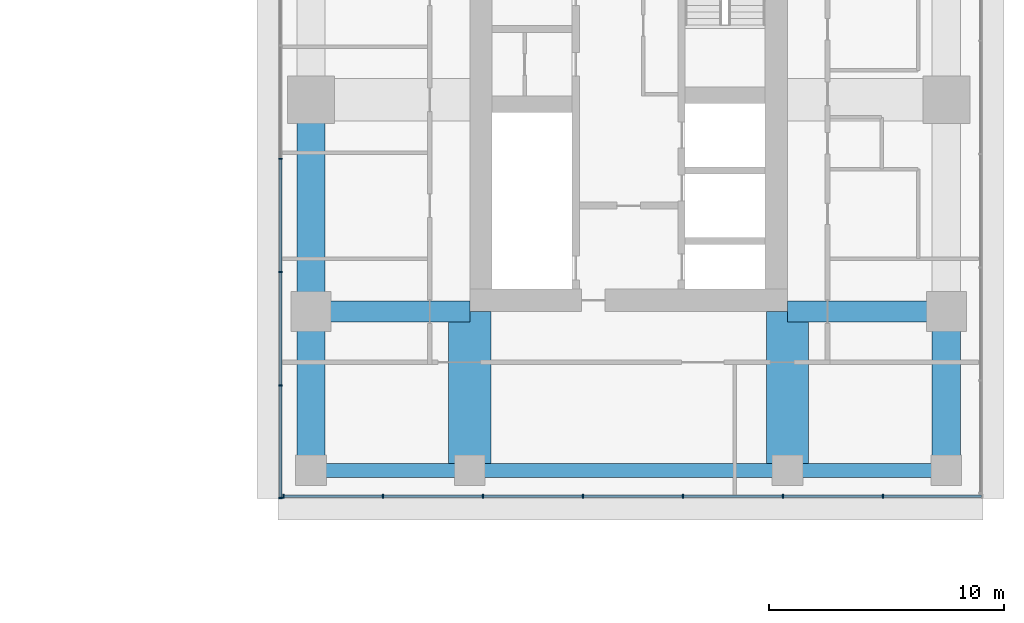
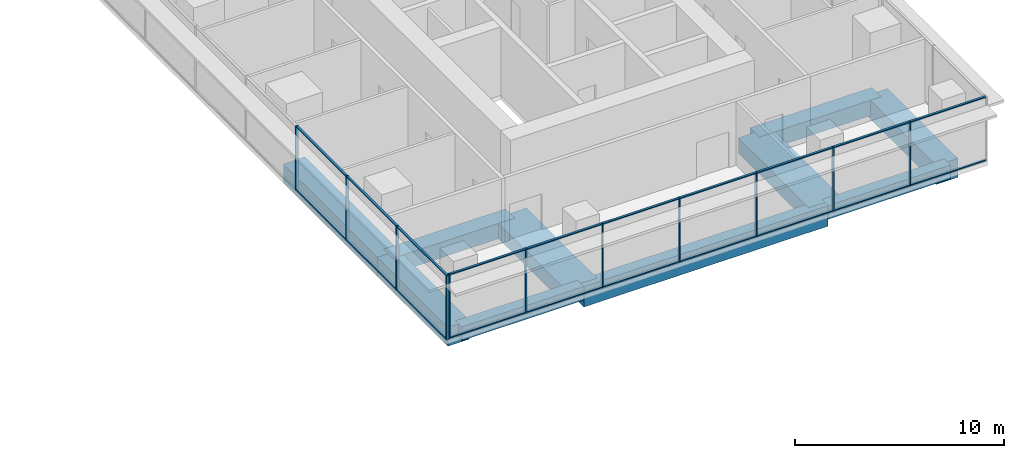
# One storey, part 2 of 14: 31 members, 10 beams, 2 elements without a shape of their own.
"""IFC4 building model written with IfcOpenShell, lengths in metres."""

from ifc_helpers import new_model, si_unit, direction, frame, origin, origin_2d, place, context, subcontext, project, spatial, rectangle, extrude, material, layer, layer_set, material_profile, profile_set, type_object, element, aggregate, save


model = new_model("IFC4")

# Units and contexts
model_context = context("Model", 3, precision=1e-05, world=origin(), true_north=direction((0.0, 1.0)))
body_context = subcontext(model_context, "Body", "Model", "MODEL_VIEW")
ifc_project = project(units=[si_unit("LENGTHUNIT", "METRE"), si_unit("AREAUNIT", "SQUARE_METRE"), si_unit("VOLUMEUNIT", "CUBIC_METRE"), si_unit("PLANEANGLEUNIT", "RADIAN"), si_unit("MASSUNIT", "GRAM", prefix="KILO")], contexts=[model_context])

# Site, building, storey
site_placement = place(None, origin())
site = spatial("IfcSite", under=ifc_project, at=site_placement, CompositionType="ELEMENT")
building_placement = place(site_placement, origin())
building = spatial("IfcBuilding", under=site, at=building_placement, Name="Namib Vertical Campus", CompositionType="ELEMENT")
storey_placement = place(building_placement, frame((0.0, 0.0, 233.0)))
storey = spatial("IfcBuildingStorey", under=building, at=storey_placement, Name="L55", CompositionType="ELEMENT", Elevation=233.0)

# Curtain wall, members
ifc_material_1 = material(Name="Black aluminium curtain wall", Category="aluminium")
ifc_layer = layer(ifc_material_1, 0.199951171875)
ifc_layer_set = layer_set([ifc_layer], Name="Sky lounge curtain wall CW-SL")
curtain_wall_type = type_object("IfcCurtainWallType", Name="Sky lounge curtain wall CW-SL", PredefinedType="USERDEFINED", material=ifc_layer_set)
curtain_wall_1_placement = place(storey_placement, origin())
curtain_wall_1 = element("IfcCurtainWall", 1, at=curtain_wall_1_placement, inside=storey, type_object=curtain_wall_type, Name="Curtain wall CW-SL L55 F01-1", ObjectType="CURTAIN WALL", PredefinedType="USERDEFINED")
ifc_material_2 = material(Name="Black anodised aluminium", Category="aluminium")
ifc_material_profile_1 = material_profile(ifc_material_2, rectangle(XDim=0.06005859375, YDim=0.159912109375, at=origin_2d()))
ifc_profile_set_1 = profile_set([ifc_material_profile_1], Name="Black anodised aluminium")
member_type_1 = type_object("IfcMemberType", Name="Curtain wall mullion 60x160", PredefinedType="MULLION", material=ifc_profile_set_1)
member_1_placement = place(storey_placement, frame((66.330078125, 3.39990234375, 0.0), z_axis=(0.0, 0.0, 1.0), x_axis=(1.0, 0.0, 0.0)))
member_1 = element("IfcMember", 2, at=member_1_placement, type_object=member_type_1, Name="CW-SL mullion 1", PredefinedType="MULLION", context=body_context, shape_type="SweptSolid", body=[
    extrude(rectangle(XDim=0.06005859375, YDim=0.159912109375, at=origin_2d()), origin(), (0.0, 0.0, 1.0), 3.75),
])
member_2_placement = place(storey_placement, frame((70.550048828125, 3.39990234375, 0.0), z_axis=(0.0, 0.0, 1.0), x_axis=(1.0, 0.0, 0.0)))
member_2 = element("IfcMember", 3, at=member_2_placement, type_object=member_type_1, Name="CW-SL mullion 2", PredefinedType="MULLION", context=body_context, shape_type="SweptSolid", body=[
    extrude(rectangle(XDim=0.06005859375, YDim=0.159912109375, at=origin_2d()), origin(), (0.0, 0.0, 1.0), 3.75),
])
member_3_placement = place(storey_placement, frame((74.800048828125, 3.39990234375, 0.0), z_axis=(0.0, 0.0, 1.0), x_axis=(1.0, 0.0, 0.0)))
member_3 = element("IfcMember", 4, at=member_3_placement, type_object=member_type_1, Name="CW-SL mullion 3", PredefinedType="MULLION", context=body_context, shape_type="SweptSolid", body=[
    extrude(rectangle(XDim=0.06005859375, YDim=0.159912109375, at=origin_2d()), origin(), (0.0, 0.0, 1.0), 3.75),
])
member_4_placement = place(storey_placement, frame((79.050048828125, 3.39990234375, 0.0), z_axis=(0.0, 0.0, 1.0), x_axis=(1.0, 0.0, 0.0)))
member_4 = element("IfcMember", 5, at=member_4_placement, type_object=member_type_1, Name="CW-SL mullion 4", PredefinedType="MULLION", context=body_context, shape_type="SweptSolid", body=[
    extrude(rectangle(XDim=0.06005859375, YDim=0.159912109375, at=origin_2d()), origin(), (0.0, 0.0, 1.0), 3.75),
])
member_5_placement = place(storey_placement, frame((83.300048828125, 3.39990234375, 0.0), z_axis=(0.0, 0.0, 1.0), x_axis=(1.0, 0.0, 0.0)))
member_5 = element("IfcMember", 6, at=member_5_placement, type_object=member_type_1, Name="CW-SL mullion 5", PredefinedType="MULLION", context=body_context, shape_type="SweptSolid", body=[
    extrude(rectangle(XDim=0.06005859375, YDim=0.159912109375, at=origin_2d()), origin(), (0.0, 0.0, 1.0), 3.75),
])
member_6_placement = place(storey_placement, frame((87.550048828125, 3.39990234375, 0.0), z_axis=(0.0, 0.0, 1.0), x_axis=(1.0, 0.0, 0.0)))
member_6 = element("IfcMember", 7, at=member_6_placement, type_object=member_type_1, Name="CW-SL mullion 6", PredefinedType="MULLION", context=body_context, shape_type="SweptSolid", body=[
    extrude(rectangle(XDim=0.06005859375, YDim=0.159912109375, at=origin_2d()), origin(), (0.0, 0.0, 1.0), 3.75),
])
member_7_placement = place(storey_placement, frame((91.800048828125, 3.39990234375, 0.0), z_axis=(0.0, 0.0, 1.0), x_axis=(1.0, 0.0, 0.0)))
member_7 = element("IfcMember", 8, at=member_7_placement, type_object=member_type_1, Name="CW-SL mullion 7", PredefinedType="MULLION", context=body_context, shape_type="SweptSolid", body=[
    extrude(rectangle(XDim=0.06005859375, YDim=0.159912109375, at=origin_2d()), origin(), (0.0, 0.0, 1.0), 3.75),
])

curtain_wall_2_placement = place(storey_placement, origin())
curtain_wall_2 = element("IfcCurtainWall", 9, at=curtain_wall_2_placement, inside=storey, type_object=curtain_wall_type, Name="Curtain wall CW-SL L55 F04-1", ObjectType="CURTAIN WALL", PredefinedType="USERDEFINED")
member_8_placement = place(storey_placement, frame((66.199951171875, 17.742919921875, 0.0), z_axis=(0.0, 0.0, 1.0), x_axis=(0.0, -1.0, 0.0)))
member_8 = element("IfcMember", 10, at=member_8_placement, type_object=member_type_1, Name="CW-SL mullion 5", PredefinedType="MULLION", context=body_context, shape_type="SweptSolid", body=[
    extrude(rectangle(XDim=0.06005859375, YDim=0.159912109375, at=origin_2d()), origin(), (0.0, 0.0, 1.0), 3.75),
])
member_9_placement = place(storey_placement, frame((66.199951171875, 12.928466796875, 0.0), z_axis=(0.0, 0.0, 1.0), x_axis=(0.0, -1.0, 0.0)))
member_9 = element("IfcMember", 11, at=member_9_placement, type_object=member_type_1, Name="CW-SL mullion 6", PredefinedType="MULLION", context=body_context, shape_type="SweptSolid", body=[
    extrude(rectangle(XDim=0.06005859375, YDim=0.159912109375, at=origin_2d()), origin(), (0.0, 0.0, 1.0), 3.75),
])
member_10_placement = place(storey_placement, frame((66.199951171875, 8.1142578125, 0.0), z_axis=(0.0, 0.0, 1.0), x_axis=(0.0, -1.0, 0.0)))
member_10 = element("IfcMember", 12, at=member_10_placement, type_object=member_type_1, Name="CW-SL mullion 7", PredefinedType="MULLION", context=body_context, shape_type="SweptSolid", body=[
    extrude(rectangle(XDim=0.06005859375, YDim=0.159912109375, at=origin_2d()), origin(), (0.0, 0.0, 1.0), 3.75),
])
member_11_placement = place(storey_placement, frame((66.199951171875, 3.330078125, 0.0), z_axis=(0.0, 0.0, 1.0), x_axis=(0.0, -1.0, 0.0)))
member_11 = element("IfcMember", 13, at=member_11_placement, type_object=member_type_1, Name="CW-SL mullion 8", PredefinedType="MULLION", context=body_context, shape_type="SweptSolid", body=[
    extrude(rectangle(XDim=0.06005859375, YDim=0.159912109375, at=origin_2d()), origin(), (0.0, 0.0, 1.0), 3.75),
])

# Member
ifc_material_3 = material(Name="Black anodised aluminium", Category="aluminium")
ifc_material_profile_2 = material_profile(ifc_material_3, rectangle(XDim=0.06005859375, YDim=0.1201171875, at=origin_2d()))
ifc_profile_set_2 = profile_set([ifc_material_profile_2], Name="Black anodised aluminium")
member_type_2 = type_object("IfcMemberType", Name="Curtain wall transom 60x120", PredefinedType="USERDEFINED", material=ifc_profile_set_2)
member_12_placement = place(storey_placement, frame((66.360107421875, 3.39990234375, 0.030029296875), z_axis=(1.0, 0.0, 0.0), x_axis=(0.0, 0.0, 1.0)))
member_12 = element("IfcMember", 14, at=member_12_placement, type_object=member_type_2, Name="CW-SL transom 1.1", ObjectType="TRANSOM", PredefinedType="USERDEFINED", context=body_context, shape_type="SweptSolid", body=[
    extrude(rectangle(XDim=0.06005859375, YDim=0.1201171875, at=origin_2d()), origin(), (0.0, 0.0, 1.0), 4.159912109375),
])

member_13_placement = place(storey_placement, frame((66.360107421875, 3.39990234375, 3.719970703125), z_axis=(1.0, 0.0, 0.0), x_axis=(0.0, 0.0, 1.0)))
member_13 = element("IfcMember", 15, at=member_13_placement, type_object=member_type_2, Name="CW-SL transom 1.2", ObjectType="TRANSOM", PredefinedType="USERDEFINED", context=body_context, shape_type="SweptSolid", body=[
    extrude(rectangle(XDim=0.06005859375, YDim=0.1201171875, at=origin_2d()), origin(), (0.0, 0.0, 1.0), 4.159912109375),
])

member_14_placement = place(storey_placement, frame((70.580078125, 3.39990234375, 0.030029296875), z_axis=(1.0, 0.0, 0.0), x_axis=(0.0, 0.0, 1.0)))
member_14 = element("IfcMember", 16, at=member_14_placement, type_object=member_type_2, Name="CW-SL transom 2.1", ObjectType="TRANSOM", PredefinedType="USERDEFINED", context=body_context, shape_type="SweptSolid", body=[
    extrude(rectangle(XDim=0.06005859375, YDim=0.1201171875, at=origin_2d()), origin(), (0.0, 0.0, 1.0), 4.18994140625),
])

member_15_placement = place(storey_placement, frame((70.580078125, 3.39990234375, 3.719970703125), z_axis=(1.0, 0.0, 0.0), x_axis=(0.0, 0.0, 1.0)))
member_15 = element("IfcMember", 17, at=member_15_placement, type_object=member_type_2, Name="CW-SL transom 2.2", ObjectType="TRANSOM", PredefinedType="USERDEFINED", context=body_context, shape_type="SweptSolid", body=[
    extrude(rectangle(XDim=0.06005859375, YDim=0.1201171875, at=origin_2d()), origin(), (0.0, 0.0, 1.0), 4.18994140625),
])

member_16_placement = place(storey_placement, frame((74.830078125, 3.39990234375, 0.030029296875), z_axis=(1.0, 0.0, 0.0), x_axis=(0.0, 0.0, 1.0)))
member_16 = element("IfcMember", 18, at=member_16_placement, type_object=member_type_2, Name="CW-SL transom 3.1", ObjectType="TRANSOM", PredefinedType="USERDEFINED", context=body_context, shape_type="SweptSolid", body=[
    extrude(rectangle(XDim=0.06005859375, YDim=0.1201171875, at=origin_2d()), origin(), (0.0, 0.0, 1.0), 4.18994140625),
])

member_17_placement = place(storey_placement, frame((74.830078125, 3.39990234375, 3.719970703125), z_axis=(1.0, 0.0, 0.0), x_axis=(0.0, 0.0, 1.0)))
member_17 = element("IfcMember", 19, at=member_17_placement, type_object=member_type_2, Name="CW-SL transom 3.2", ObjectType="TRANSOM", PredefinedType="USERDEFINED", context=body_context, shape_type="SweptSolid", body=[
    extrude(rectangle(XDim=0.06005859375, YDim=0.1201171875, at=origin_2d()), origin(), (0.0, 0.0, 1.0), 4.18994140625),
])

member_18_placement = place(storey_placement, frame((79.080078125, 3.39990234375, 0.030029296875), z_axis=(1.0, 0.0, 0.0), x_axis=(0.0, 0.0, 1.0)))
member_18 = element("IfcMember", 20, at=member_18_placement, type_object=member_type_2, Name="CW-SL transom 4.1", ObjectType="TRANSOM", PredefinedType="USERDEFINED", context=body_context, shape_type="SweptSolid", body=[
    extrude(rectangle(XDim=0.06005859375, YDim=0.1201171875, at=origin_2d()), origin(), (0.0, 0.0, 1.0), 4.18994140625),
])

member_19_placement = place(storey_placement, frame((79.080078125, 3.39990234375, 3.719970703125), z_axis=(1.0, 0.0, 0.0), x_axis=(0.0, 0.0, 1.0)))
member_19 = element("IfcMember", 21, at=member_19_placement, type_object=member_type_2, Name="CW-SL transom 4.2", ObjectType="TRANSOM", PredefinedType="USERDEFINED", context=body_context, shape_type="SweptSolid", body=[
    extrude(rectangle(XDim=0.06005859375, YDim=0.1201171875, at=origin_2d()), origin(), (0.0, 0.0, 1.0), 4.18994140625),
])

member_20_placement = place(storey_placement, frame((83.330078125, 3.39990234375, 0.030029296875), z_axis=(1.0, 0.0, 0.0), x_axis=(0.0, 0.0, 1.0)))
member_20 = element("IfcMember", 22, at=member_20_placement, type_object=member_type_2, Name="CW-SL transom 5.1", ObjectType="TRANSOM", PredefinedType="USERDEFINED", context=body_context, shape_type="SweptSolid", body=[
    extrude(rectangle(XDim=0.06005859375, YDim=0.1201171875, at=origin_2d()), origin(), (0.0, 0.0, 1.0), 4.18994140625),
])

member_21_placement = place(storey_placement, frame((83.330078125, 3.39990234375, 3.719970703125), z_axis=(1.0, 0.0, 0.0), x_axis=(0.0, 0.0, 1.0)))
member_21 = element("IfcMember", 23, at=member_21_placement, type_object=member_type_2, Name="CW-SL transom 5.2", ObjectType="TRANSOM", PredefinedType="USERDEFINED", context=body_context, shape_type="SweptSolid", body=[
    extrude(rectangle(XDim=0.06005859375, YDim=0.1201171875, at=origin_2d()), origin(), (0.0, 0.0, 1.0), 4.18994140625),
])

member_22_placement = place(storey_placement, frame((87.580078125, 3.39990234375, 0.030029296875), z_axis=(1.0, 0.0, 0.0), x_axis=(0.0, 0.0, 1.0)))
member_22 = element("IfcMember", 24, at=member_22_placement, type_object=member_type_2, Name="CW-SL transom 6.1", ObjectType="TRANSOM", PredefinedType="USERDEFINED", context=body_context, shape_type="SweptSolid", body=[
    extrude(rectangle(XDim=0.06005859375, YDim=0.1201171875, at=origin_2d()), origin(), (0.0, 0.0, 1.0), 4.18994140625),
])

member_23_placement = place(storey_placement, frame((87.580078125, 3.39990234375, 3.719970703125), z_axis=(1.0, 0.0, 0.0), x_axis=(0.0, 0.0, 1.0)))
member_23 = element("IfcMember", 25, at=member_23_placement, type_object=member_type_2, Name="CW-SL transom 6.2", ObjectType="TRANSOM", PredefinedType="USERDEFINED", context=body_context, shape_type="SweptSolid", body=[
    extrude(rectangle(XDim=0.06005859375, YDim=0.1201171875, at=origin_2d()), origin(), (0.0, 0.0, 1.0), 4.18994140625),
])

member_24_placement = place(storey_placement, frame((91.830078125, 3.39990234375, 0.030029296875), z_axis=(1.0, 0.0, 0.0), x_axis=(0.0, 0.0, 1.0)))
member_24 = element("IfcMember", 26, at=member_24_placement, type_object=member_type_2, Name="CW-SL transom 7.1", ObjectType="TRANSOM", PredefinedType="USERDEFINED", context=body_context, shape_type="SweptSolid", body=[
    extrude(rectangle(XDim=0.06005859375, YDim=0.1201171875, at=origin_2d()), origin(), (0.0, 0.0, 1.0), 4.159912109375),
])

member_25_placement = place(storey_placement, frame((91.830078125, 3.39990234375, 3.719970703125), z_axis=(1.0, 0.0, 0.0), x_axis=(0.0, 0.0, 1.0)))
member_25 = element("IfcMember", 27, at=member_25_placement, type_object=member_type_2, Name="CW-SL transom 7.2", ObjectType="TRANSOM", PredefinedType="USERDEFINED", context=body_context, shape_type="SweptSolid", body=[
    extrude(rectangle(XDim=0.06005859375, YDim=0.1201171875, at=origin_2d()), origin(), (0.0, 0.0, 1.0), 4.159912109375),
])

aggregate(curtain_wall_1, [member_1, member_2, member_3, member_4, member_5, member_6, member_7, member_12, member_13, member_14, member_15, member_16, member_17, member_18, member_19, member_20, member_21, member_22, member_23, member_24, member_25])

member_26_placement = place(storey_placement, frame((66.199951171875, 17.712890625, 0.030029296875), z_axis=(0.0, -1.0, 0.0), x_axis=(0.0, 0.0, 1.0)))
member_26 = element("IfcMember", 28, at=member_26_placement, type_object=member_type_2, Name="CW-SL transom 5.1", ObjectType="TRANSOM", PredefinedType="USERDEFINED", context=body_context, shape_type="SweptSolid", body=[
    extrude(rectangle(XDim=0.06005859375, YDim=0.1201171875, at=origin_2d()), origin(), (0.0, 0.0, 1.0), 4.75439453125),
])

member_27_placement = place(storey_placement, frame((66.199951171875, 17.712890625, 3.719970703125), z_axis=(0.0, -1.0, 0.0), x_axis=(0.0, 0.0, 1.0)))
member_27 = element("IfcMember", 29, at=member_27_placement, type_object=member_type_2, Name="CW-SL transom 5.2", ObjectType="TRANSOM", PredefinedType="USERDEFINED", context=body_context, shape_type="SweptSolid", body=[
    extrude(rectangle(XDim=0.06005859375, YDim=0.1201171875, at=origin_2d()), origin(), (0.0, 0.0, 1.0), 4.75439453125),
])

member_28_placement = place(storey_placement, frame((66.199951171875, 12.898681640625, 0.030029296875), z_axis=(0.0, -1.0, 0.0), x_axis=(0.0, 0.0, 1.0)))
member_28 = element("IfcMember", 30, at=member_28_placement, type_object=member_type_2, Name="CW-SL transom 6.1", ObjectType="TRANSOM", PredefinedType="USERDEFINED", context=body_context, shape_type="SweptSolid", body=[
    extrude(rectangle(XDim=0.06005859375, YDim=0.1201171875, at=origin_2d()), origin(), (0.0, 0.0, 1.0), 4.75439453125),
])

member_29_placement = place(storey_placement, frame((66.199951171875, 12.898681640625, 3.719970703125), z_axis=(0.0, -1.0, 0.0), x_axis=(0.0, 0.0, 1.0)))
member_29 = element("IfcMember", 31, at=member_29_placement, type_object=member_type_2, Name="CW-SL transom 6.2", ObjectType="TRANSOM", PredefinedType="USERDEFINED", context=body_context, shape_type="SweptSolid", body=[
    extrude(rectangle(XDim=0.06005859375, YDim=0.1201171875, at=origin_2d()), origin(), (0.0, 0.0, 1.0), 4.75439453125),
])

member_30_placement = place(storey_placement, frame((66.199951171875, 8.084228515625, 0.030029296875), z_axis=(0.0, -1.0, 0.0), x_axis=(0.0, 0.0, 1.0)))
member_30 = element("IfcMember", 32, at=member_30_placement, type_object=member_type_2, Name="CW-SL transom 7.1", ObjectType="TRANSOM", PredefinedType="USERDEFINED", context=body_context, shape_type="SweptSolid", body=[
    extrude(rectangle(XDim=0.06005859375, YDim=0.1201171875, at=origin_2d()), origin(), (0.0, 0.0, 1.0), 4.72412109375),
])

member_31_placement = place(storey_placement, frame((66.199951171875, 8.084228515625, 3.719970703125), z_axis=(0.0, -1.0, 0.0), x_axis=(0.0, 0.0, 1.0)))
member_31 = element("IfcMember", 33, at=member_31_placement, type_object=member_type_2, Name="CW-SL transom 7.2", ObjectType="TRANSOM", PredefinedType="USERDEFINED", context=body_context, shape_type="SweptSolid", body=[
    extrude(rectangle(XDim=0.06005859375, YDim=0.1201171875, at=origin_2d()), origin(), (0.0, 0.0, 1.0), 4.72412109375),
])

aggregate(curtain_wall_2, [member_8, member_9, member_10, member_11, member_26, member_27, member_28, member_29, member_30, member_31])

# Beams
ifc_material_4 = material(Name="Concrete C40/50", Category="concrete")
ifc_material_profile_3 = material_profile(ifc_material_4, rectangle(XDim=0.89990234375, YDim=0.89990234375, at=origin_2d()))
ifc_profile_set_3 = profile_set([ifc_material_profile_3], Name="Concrete C40/50")
beam_type_1 = type_object("IfcBeamType", Name="Face girder RC 900x900", PredefinedType="BEAM", material=ifc_profile_set_3)
for number, where, z_axis, x_axis, name in (
    (34, (67.5, 11.25, -0.699951171875), (1.0, 0.0, 0.0), (0.0, 1.0, 0.0), "Beam B10 L55"),
    (35, (94.5, 11.25, -0.699951171875), (-1.0, 0.0, 0.0), (0.0, -1.0, 0.0), "Beam B10 L55"),
):
    element("IfcBeam", number, at=place(storey_placement, frame(where, z_axis=z_axis, x_axis=x_axis)), inside=storey, type_object=beam_type_1, Name=name, PredefinedType="BEAM", context=body_context, shape_type="SweptSolid", body=[
        extrude(rectangle(XDim=0.89990234375, YDim=0.89990234375, at=origin_2d()), origin(), (0.0, 0.0, 1.0), 6.75),
    ])
ifc_material_5 = material(Name="Concrete C40/50", Category="concrete")
ifc_material_profile_4 = material_profile(ifc_material_5, rectangle(XDim=1.199951171875, YDim=1.10009765625, at=origin_2d()))
ifc_profile_set_4 = profile_set([ifc_material_profile_4], Name="Concrete C40/50")
beam_type_2 = type_object("IfcBeamType", Name="Face ring beam RC 1200x1100", PredefinedType="BEAM", material=ifc_profile_set_4)
beam_1_placement = place(storey_placement, frame((67.5, 4.5, -0.800048828125), z_axis=(0.0, 1.0, 0.0), x_axis=(-1.0, 0.0, 0.0)))
element("IfcBeam", 36, at=beam_1_placement, inside=storey, type_object=beam_type_2, Name="Beam B11 L55", PredefinedType="BEAM", context=body_context, shape_type="SweptSolid", body=[
    extrude(rectangle(XDim=1.199951171875, YDim=1.10009765625, at=origin_2d()), origin(), (0.0, 0.0, 1.0), 6.75),
])
beam_2_placement = place(storey_placement, frame((67.5, 11.25, -0.800048828125), z_axis=(0.0, 1.0, 0.0), x_axis=(-1.0, 0.0, 0.0)))
element("IfcBeam", 37, at=beam_2_placement, inside=storey, type_object=beam_type_2, Name="Beam B11 L55", PredefinedType="BEAM", context=body_context, shape_type="SweptSolid", body=[
    extrude(rectangle(XDim=1.199951171875, YDim=1.10009765625, at=origin_2d()), origin(), (0.0, 0.0, 1.0), 9.0),
])
beam_3_placement = place(storey_placement, frame((94.5, 4.5, -0.800048828125), z_axis=(0.0, 1.0, 0.0), x_axis=(-1.0, 0.0, 0.0)))
element("IfcBeam", 38, at=beam_3_placement, inside=storey, type_object=beam_type_2, Name="Beam B11 L55", PredefinedType="BEAM", context=body_context, shape_type="SweptSolid", body=[
    extrude(rectangle(XDim=1.199951171875, YDim=1.10009765625, at=origin_2d()), origin(), (0.0, 0.0, 1.0), 6.75),
])
ifc_material_6 = material(Name="Concrete C40/50", Category="concrete")
ifc_material_profile_5 = material_profile(ifc_material_6, rectangle(XDim=0.60009765625, YDim=1.199951171875, at=origin_2d()))
ifc_profile_set_5 = profile_set([ifc_material_profile_5], Name="Concrete C40/50")
beam_type_3 = type_object("IfcBeamType", Name="Long-span ring beam RC 600x1200", PredefinedType="BEAM", material=ifc_profile_set_5)
beam_4_placement = place(storey_placement, frame((74.25, 4.5, -0.85009765625), z_axis=(1.0, 0.0, 0.0), x_axis=(0.0, 1.0, 0.0)))
element("IfcBeam", 39, at=beam_4_placement, inside=storey, type_object=beam_type_3, Name="Beam B9 L55", PredefinedType="BEAM", context=body_context, shape_type="SweptSolid", body=[
    extrude(rectangle(XDim=0.60009765625, YDim=1.199951171875, at=origin_2d()), origin(), (0.0, 0.0, 1.0), 13.5),
])
ifc_material_7 = material(Name="Concrete C40/50", Category="concrete")
ifc_material_profile_6 = material_profile(ifc_material_7, rectangle(XDim=1.800048828125, YDim=0.89990234375, at=origin_2d()))
ifc_profile_set_6 = profile_set([ifc_material_profile_6], Name="Concrete C40/50")
beam_type_4 = type_object("IfcBeamType", Name="Outrigger line girder RC 1800x900", PredefinedType="BEAM", material=ifc_profile_set_6)
for number, where, z_axis, x_axis, name in (
    (40, (74.25, 4.5, -0.699951171875), (0.0, 1.0, 0.0), (-1.0, 0.0, 0.0), "Beam B12 L55"),
    (41, (87.75, 4.5, -0.699951171875), (0.0, 1.0, 0.0), (-1.0, 0.0, 0.0), "Beam B12 L55"),
):
    element("IfcBeam", number, at=place(storey_placement, frame(where, z_axis=z_axis, x_axis=x_axis)), inside=storey, type_object=beam_type_4, Name=name, PredefinedType="BEAM", context=body_context, shape_type="SweptSolid", body=[
        extrude(rectangle(XDim=1.800048828125, YDim=0.89990234375, at=origin_2d()), origin(), (0.0, 0.0, 1.0), 6.75),
    ])
ifc_material_8 = material(Name="Concrete C40/50", Category="concrete")
ifc_material_profile_7 = material_profile(ifc_material_8, rectangle(XDim=0.60009765625, YDim=0.800048828125, at=origin_2d()))
ifc_profile_set_7 = profile_set([ifc_material_profile_7], Name="Concrete C40/50")
beam_type_5 = type_object("IfcBeamType", Name="Ring beam RC 600x800", PredefinedType="BEAM", material=ifc_profile_set_7)
for number, where, z_axis, x_axis, name in (
    (42, (67.5, 4.5, -0.64990234375), (1.0, 0.0, 0.0), (0.0, 1.0, 0.0), "Beam B1 L55"),
    (43, (87.75, 4.5, -0.64990234375), (1.0, 0.0, 0.0), (0.0, 1.0, 0.0), "Beam B1 L55"),
):
    element("IfcBeam", number, at=place(storey_placement, frame(where, z_axis=z_axis, x_axis=x_axis)), inside=storey, type_object=beam_type_5, Name=name, PredefinedType="BEAM", context=body_context, shape_type="SweptSolid", body=[
        extrude(rectangle(XDim=0.60009765625, YDim=0.800048828125, at=origin_2d()), origin(), (0.0, 0.0, 1.0), 6.75),
    ])

save(model, "model.ifc")
